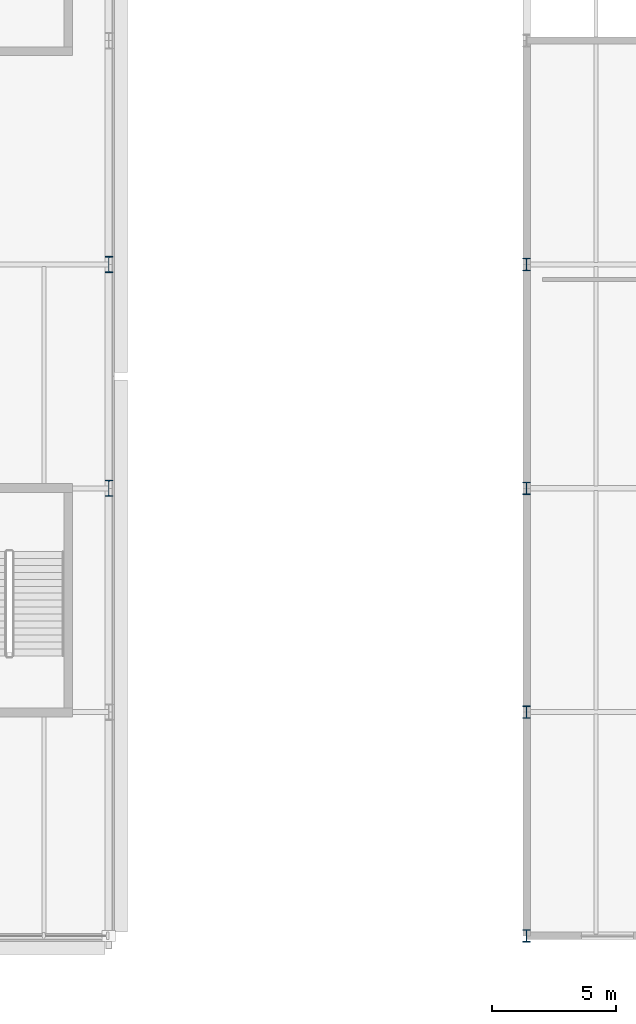
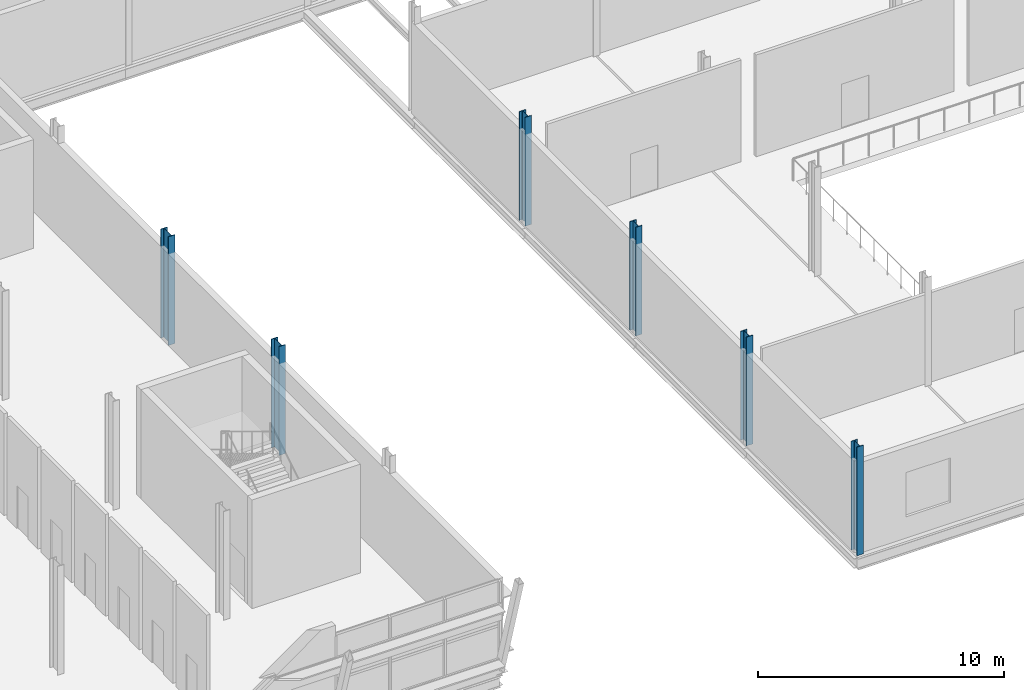
# One storey, part 5 of 78: 6 columns.
"""IFC4 building model written with IfcOpenShell, lengths in metres."""

from ifc_helpers import new_model, si_unit, direction, frame, origin, origin_2d, place, context, subcontext, project, spatial, i_section, extrude, material, material_profile, profile_set, type_object, element, save


model = new_model("IFC4")

# Units and contexts
model_context = context("Model", 3, precision=1e-05, world=origin(), true_north=direction((0.0, 1.0)))
body_context = subcontext(model_context, "Body", "Model", "MODEL_VIEW")
ifc_project = project(units=[si_unit("LENGTHUNIT", "METRE"), si_unit("AREAUNIT", "SQUARE_METRE"), si_unit("VOLUMEUNIT", "CUBIC_METRE"), si_unit("PLANEANGLEUNIT", "RADIAN"), si_unit("MASSUNIT", "GRAM", prefix="KILO")], contexts=[model_context])

# Site, building, storey
site_placement = place(None, origin())
site = spatial("IfcSite", under=ifc_project, at=site_placement, CompositionType="ELEMENT")
building_placement = place(site_placement, origin())
building = spatial("IfcBuilding", under=site, at=building_placement, Name="Sefraquen Railside Congress Hotel", CompositionType="ELEMENT")
storey_placement = place(building_placement, frame((0.0, 0.0, 6.0)))
storey = spatial("IfcBuildingStorey", under=building, at=storey_placement, Name="L01", CompositionType="ELEMENT", Elevation=6.0)

# Columns
ifc_material = material(Name="Steel S355JR", Category="steel")
ifc_material_profile_1 = material_profile(ifc_material, i_section(OverallWidth=0.300048828125, OverallDepth=0.5, WebThickness=0.014404296875, FlangeThickness=0.028076171875, FilletRadius=0.027099609375, at=origin_2d()), Name="HEB 500")
ifc_profile_set_1 = profile_set([ifc_material_profile_1], Name="Steel S355JR")
column_type_1 = type_object("IfcColumnType", Name="TC-HEB-500", PredefinedType="COLUMN", material=ifc_profile_set_1)
for number, where, z_axis, x_axis, name in (
    (1, (120.0, 9.0, 0.0), (0.0, 0.0, 1.0), (1.0, 0.0, 0.0), "Structural column 16-B L01"),
    (2, (120.0, 18.0, 0.0), (0.0, 0.0, 1.0), (1.0, 0.0, 0.0), "Structural column 16-C L01"),
    (3, (120.0, 27.0, 0.0), (0.0, 0.0, 1.0), (1.0, 0.0, 0.0), "Structural column 16-D L01"),
    (4, (120.0, 36.0, 0.0), (0.0, 0.0, 1.0), (1.0, 0.0, 0.0), "Structural column 16-E L01"),
):
    element("IfcColumn", number, at=place(storey_placement, frame(where, z_axis=z_axis, x_axis=x_axis)), inside=storey, type_object=column_type_1, Name=name, PredefinedType="COLUMN", context=body_context, shape_type="SweptSolid", body=[
        extrude(i_section(OverallWidth=0.300048828125, OverallDepth=0.5, WebThickness=0.014404296875, FlangeThickness=0.028076171875, FilletRadius=0.027099609375, at=origin_2d()), origin(), (0.0, 0.0, 1.0), 5.39990234375),
    ])
ifc_material_profile_2 = material_profile(ifc_material, i_section(OverallWidth=0.300048828125, OverallDepth=0.64990234375, WebThickness=0.01611328125, FlangeThickness=0.031005859375, FilletRadius=0.027099609375, at=origin_2d()), Name="HEB 650")
ifc_profile_set_2 = profile_set([ifc_material_profile_2], Name="Steel S355JR")
column_type_2 = type_object("IfcColumnType", Name="TC-HEB-650", PredefinedType="COLUMN", material=ifc_profile_set_2)
for number, where, z_axis, x_axis, name in (
    (5, (103.199951171875, 27.0, 0.0), (0.0, 0.0, 1.0), (1.0, 0.0, 0.0), "Structural column 14-D L01"),
    (6, (103.199951171875, 36.0, 0.0), (0.0, 0.0, 1.0), (1.0, 0.0, 0.0), "Structural column 14-E L01"),
):
    element("IfcColumn", number, at=place(storey_placement, frame(where, z_axis=z_axis, x_axis=x_axis)), inside=storey, type_object=column_type_2, Name=name, PredefinedType="COLUMN", context=body_context, shape_type="SweptSolid", body=[
        extrude(i_section(OverallWidth=0.300048828125, OverallDepth=0.64990234375, WebThickness=0.01611328125, FlangeThickness=0.031005859375, FilletRadius=0.027099609375, at=origin_2d()), origin(), (0.0, 0.0, 1.0), 5.39990234375),
    ])

save(model, "model.ifc")
